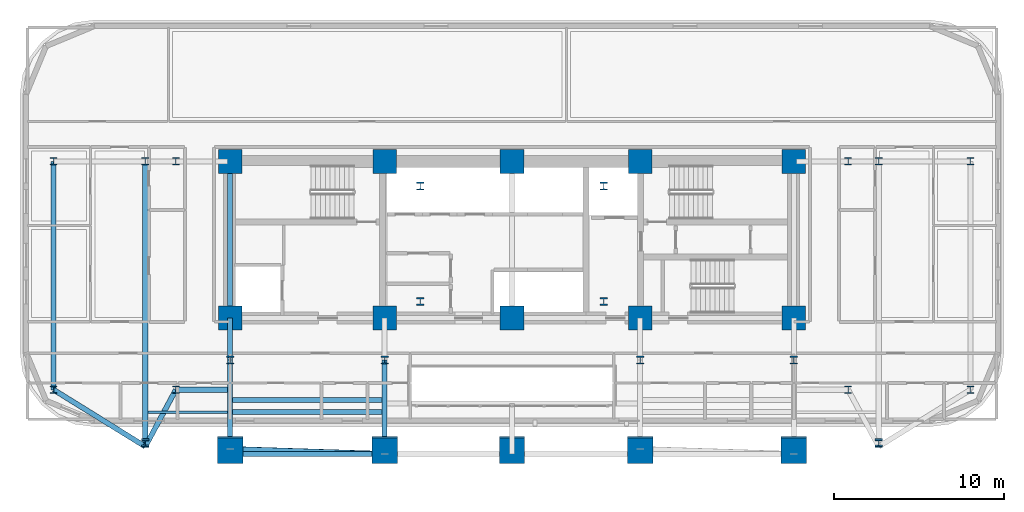
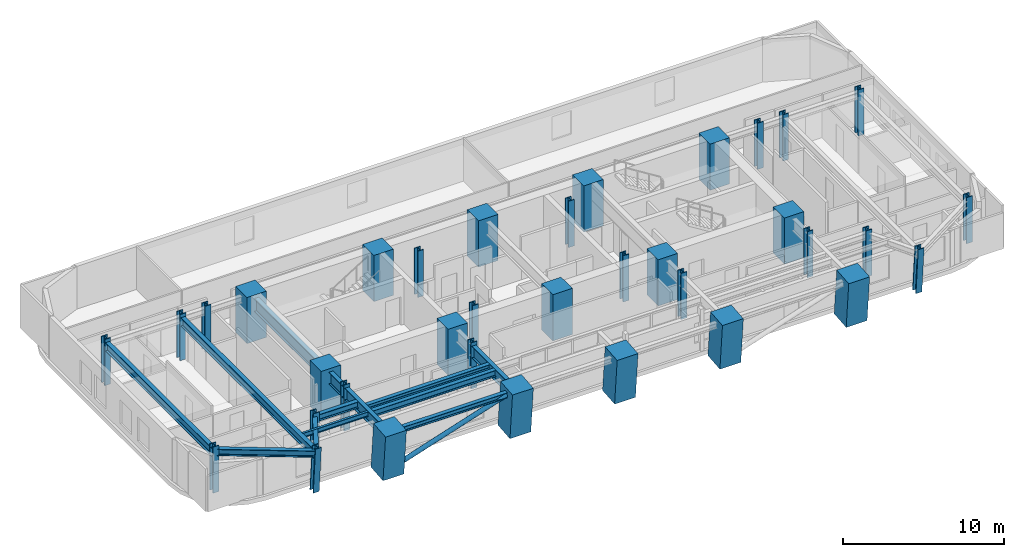
# One storey, part 1 of 15: 35 columns, 13 beams, 1 member.
"""IFC4 building model written with IfcOpenShell, lengths in metres."""

from ifc_helpers import new_model, si_unit, direction, frame, origin, origin_2d, place, context, subcontext, project, spatial, rectangle, hollow_circle, i_section, extrude, material, material_profile, profile_set, type_object, element, save


model = new_model("IFC4")

# Units and contexts
model_context = context("Model", 3, precision=1e-05, world=origin(), true_north=direction((0.0, 1.0)))
body_context = subcontext(model_context, "Body", "Model", "MODEL_VIEW")
ifc_project = project(units=[si_unit("LENGTHUNIT", "METRE"), si_unit("AREAUNIT", "SQUARE_METRE"), si_unit("VOLUMEUNIT", "CUBIC_METRE"), si_unit("PLANEANGLEUNIT", "RADIAN"), si_unit("MASSUNIT", "GRAM", prefix="KILO")], contexts=[model_context])

# Site, building, storey
site_placement = place(None, origin())
site = spatial("IfcSite", under=ifc_project, at=site_placement, CompositionType="ELEMENT")
building_placement = place(site_placement, origin())
building = spatial("IfcBuilding", under=site, at=building_placement, Name="Zarnavel Station Tower", CompositionType="ELEMENT")
storey_placement = place(building_placement, frame((0.0, 0.0, 67.5)))
storey = spatial("IfcBuildingStorey", under=building, at=storey_placement, Name="L18", CompositionType="ELEMENT", Elevation=67.5)

# Columns
ifc_material_1 = material(Name="Steel S460M", Category="steel")
ifc_material_profile_1 = material_profile(ifc_material_1, i_section(OverallWidth=0.424072265625, OverallDepth=0.449951171875, WebThickness=0.041015625, FlangeThickness=0.06494140625, FilletRadius=0.014892578125, at=origin_2d()), Name="HD400x509")
ifc_profile_set_1 = profile_set([ifc_material_profile_1], Name="Steel S460M")
column_type_1 = type_object("IfcColumnType", Name="EC_HD509", PredefinedType="COLUMN", material=ifc_profile_set_1)
for number, where, z_axis, x_axis, name in (
    (1, (1.800048828125, 23.60009765625, 0.0), (0.0, 0.0, 1.0), (1.0, 0.0, 0.0), "L18 Outer Wing South Column 1"),
    (2, (1.800048828125, 37.050048828125, 0.0), (0.0, 0.0, 1.0), (1.0, 0.0, 0.0), "L18 Outer Wing North Column 1"),
):
    element("IfcColumn", number, at=place(storey_placement, frame(where, z_axis=z_axis, x_axis=x_axis)), inside=storey, type_object=column_type_1, Name=name, PredefinedType="COLUMN", context=body_context, shape_type="SweptSolid", body=[
        extrude(i_section(OverallWidth=0.424072265625, OverallDepth=0.449951171875, WebThickness=0.041015625, FlangeThickness=0.06494140625, FilletRadius=0.014892578125, at=origin_2d()), origin(), (0.0, 0.0, 1.0), 3.5),
    ])
for number, where, z_axis, x_axis, name in (
    (3, (7.199951171875, 20.514404296875, 0.0), (0.0, -0.079960777917, 0.996798010629), (1.0, 0.0, 0.0), "L18 Raked Wing Column 2"),
    (4, (50.39990234375, 20.514404296875, 0.0), (0.0, -0.079960777917, 0.996798010629), (1.0, 0.0, 0.0), "L18 Raked Wing Column 3"),
):
    element("IfcColumn", number, at=place(storey_placement, frame(where, z_axis=z_axis, x_axis=x_axis)), inside=storey, type_object=column_type_1, Name=name, PredefinedType="COLUMN", context=body_context, shape_type="SweptSolid", body=[
        extrude(i_section(OverallWidth=0.424072265625, OverallDepth=0.449951171875, WebThickness=0.041015625, FlangeThickness=0.06494140625, FilletRadius=0.014892578125, at=origin_2d()), origin(), (0.0, 0.0, 1.0), 3.51123046875),
    ])
for number, where, z_axis, x_axis, name in (
    (5, (55.800048828125, 23.60009765625, 0.0), (0.0, 0.0, 1.0), (1.0, 0.0, 0.0), "L18 Outer Wing South Column 4"),
    (6, (55.800048828125, 37.050048828125, 0.0), (0.0, 0.0, 1.0), (1.0, 0.0, 0.0), "L18 Outer Wing North Column 4"),
):
    element("IfcColumn", number, at=place(storey_placement, frame(where, z_axis=z_axis, x_axis=x_axis)), inside=storey, type_object=column_type_1, Name=name, PredefinedType="COLUMN", context=body_context, shape_type="SweptSolid", body=[
        extrude(i_section(OverallWidth=0.424072265625, OverallDepth=0.449951171875, WebThickness=0.041015625, FlangeThickness=0.06494140625, FilletRadius=0.014892578125, at=origin_2d()), origin(), (0.0, 0.0, 1.0), 3.5),
    ])
ifc_material_2 = material(Name="Steel S460M", Category="steel")
ifc_material_profile_2 = material_profile(ifc_material_2, i_section(OverallWidth=0.424072265625, OverallDepth=0.449951171875, WebThickness=0.041015625, FlangeThickness=0.06494140625, FilletRadius=0.014892578125, at=origin_2d()), Name="HD400x509")
ifc_profile_set_2 = profile_set([ifc_material_profile_2], Name="Steel S460M")
column_type_2 = type_object("IfcColumnType", Name="IC_HD509", PredefinedType="COLUMN", material=ifc_profile_set_2)
for number, where, z_axis, x_axis, name in (
    (7, (23.39990234375, 28.800048828125, 0.0), (0.0, 0.0, 1.0), (1.0, 0.0, 0.0), "L18 Mast Spine Column 1"),
    (8, (34.199951171875, 28.800048828125, 0.0), (0.0, 0.0, 1.0), (1.0, 0.0, 0.0), "L18 Mast Spine Column 2"),
    (9, (34.199951171875, 35.60009765625, 0.0), (0.0, 0.0, 1.0), (1.0, 0.0, 0.0), "L18 Mast Spine Column 3"),
    (10, (23.39990234375, 35.60009765625, 0.0), (0.0, 0.0, 1.0), (1.0, 0.0, 0.0), "L18 Mast Spine Column 4"),
    (11, (12.199951171875, 25.35009765625, 0.0), (0.0, 0.0, 1.0), (1.0, 0.0, 0.0), "L18 Inner Spine Column 1"),
    (12, (21.300048828125, 25.35009765625, 0.0), (0.0, 0.0, 1.0), (1.0, 0.0, 0.0), "L18 Inner Spine Column 2"),
    (13, (36.35009765625, 25.35009765625, 0.0), (0.0, 0.0, 1.0), (1.0, 0.0, 0.0), "L18 Inner Spine Column 4"),
    (14, (45.39990234375, 25.35009765625, 0.0), (0.0, 0.0, 1.0), (1.0, 0.0, 0.0), "L18 Inner Spine Column 5"),
    (15, (9.0, 23.60009765625, 0.0), (0.0, 0.0, 1.0), (1.0, 0.0, 0.0), "L18 Inner Wing Spine Column 1-1"),
    (16, (9.0, 37.050048828125, 0.0), (0.0, 0.0, 1.0), (1.0, 0.0, 0.0), "L18 Inner Wing Spine Column 1-2"),
    (17, (48.60009765625, 23.60009765625, 0.0), (0.0, 0.0, 1.0), (1.0, 0.0, 0.0), "L18 Inner Wing Spine Column 2-1"),
    (18, (48.60009765625, 37.050048828125, 0.0), (0.0, 0.0, 1.0), (1.0, 0.0, 0.0), "L18 Inner Wing Spine Column 2-2"),
    (19, (7.199951171875, 37.050048828125, 0.0), (0.0, 0.0, 1.0), (1.0, 0.0, 0.0), "L18 Outer Wing North Column 2"),
    (20, (50.39990234375, 37.050048828125, 0.0), (0.0, 0.0, 1.0), (1.0, 0.0, 0.0), "L18 Outer Wing North Column 3"),
):
    element("IfcColumn", number, at=place(storey_placement, frame(where, z_axis=z_axis, x_axis=x_axis)), inside=storey, type_object=column_type_2, Name=name, PredefinedType="COLUMN", context=body_context, shape_type="SweptSolid", body=[
        extrude(i_section(OverallWidth=0.424072265625, OverallDepth=0.449951171875, WebThickness=0.041015625, FlangeThickness=0.06494140625, FilletRadius=0.014892578125, at=origin_2d()), origin(), (0.0, 0.0, 1.0), 3.5),
    ])
ifc_material_3 = material(Name="Concrete C60/75", Category="concrete")
ifc_material_profile_3 = material_profile(ifc_material_3, rectangle(XDim=1.39990234375, YDim=1.39990234375, at=origin_2d()), Name="RC1400x1400")
ifc_profile_set_3 = profile_set([ifc_material_profile_3], Name="Concrete C60/75")
column_type_3 = type_object("IfcColumnType", Name="IC_RC1400", PredefinedType="COLUMN", material=ifc_profile_set_3)
for number, where, z_axis, x_axis, name in (
    (21, (12.199951171875, 27.820068359375, 0.0), (0.0, 0.0, 1.0), (1.0, 0.0, 0.0), "L18 Core Spine Column 1-1"),
    (22, (12.199951171875, 37.050048828125, 0.0), (0.0, 0.0, 1.0), (1.0, 0.0, 0.0), "L18 Core Spine Column 1-2"),
    (23, (21.300048828125, 27.820068359375, 0.0), (0.0, 0.0, 1.0), (1.0, 0.0, 0.0), "L18 Core Spine Column 2-1"),
    (24, (21.300048828125, 37.050048828125, 0.0), (0.0, 0.0, 1.0), (1.0, 0.0, 0.0), "L18 Core Spine Column 2-2"),
    (25, (28.800048828125, 27.820068359375, 0.0), (0.0, 0.0, 1.0), (1.0, 0.0, 0.0), "L18 Core Spine Column 3-1"),
    (26, (28.800048828125, 37.050048828125, 0.0), (0.0, 0.0, 1.0), (1.0, 0.0, 0.0), "L18 Core Spine Column 3-2"),
    (27, (36.35009765625, 27.820068359375, 0.0), (0.0, 0.0, 1.0), (1.0, 0.0, 0.0), "L18 Core Spine Column 4-1"),
    (28, (36.35009765625, 37.050048828125, 0.0), (0.0, 0.0, 1.0), (1.0, 0.0, 0.0), "L18 Core Spine Column 4-2"),
    (29, (45.39990234375, 27.820068359375, 0.0), (0.0, 0.0, 1.0), (1.0, 0.0, 0.0), "L18 Core Spine Column 5-1"),
    (30, (45.39990234375, 37.050048828125, 0.0), (0.0, 0.0, 1.0), (1.0, 0.0, 0.0), "L18 Core Spine Column 5-2"),
):
    element("IfcColumn", number, at=place(storey_placement, frame(where, z_axis=z_axis, x_axis=x_axis)), inside=storey, type_object=column_type_3, Name=name, PredefinedType="COLUMN", context=body_context, shape_type="SweptSolid", body=[
        extrude(rectangle(XDim=1.39990234375, YDim=1.39990234375, at=origin_2d()), origin(), (0.0, 0.0, 1.0), 3.5),
    ])
ifc_material_4 = material(Name="Concrete C60/75", Category="concrete")
ifc_material_profile_4 = material_profile(ifc_material_4, rectangle(XDim=1.5, YDim=1.5, at=origin_2d()), Name="RC1500x1500")
ifc_profile_set_4 = profile_set([ifc_material_profile_4], Name="Concrete C60/75")
column_type_4 = type_object("IfcColumnType", Name="MC_RC1500", PredefinedType="COLUMN", material=ifc_profile_set_4)
for number, where, z_axis, x_axis, name in (
    (31, (12.199951171875, 20.111083984375, 0.0), (0.0, -0.090241349316, 0.995919925935), (1.0, 0.0, 0.0), "L18 Raked South Mega-Column 1"),
    (32, (21.300048828125, 20.111083984375, 0.0), (0.0, -0.090241349316, 0.995919925935), (1.0, 0.0, 0.0), "L18 Raked South Mega-Column 2"),
    (33, (28.800048828125, 20.111083984375, 0.0), (0.0, -0.090241349316, 0.995919925935), (1.0, 0.0, 0.0), "L18 Raked South Mega-Column 3"),
    (34, (36.35009765625, 20.111083984375, 0.0), (0.0, -0.090241349316, 0.995919925935), (1.0, 0.0, 0.0), "L18 Raked South Mega-Column 4"),
    (35, (45.39990234375, 20.111083984375, 0.0), (0.0, -0.090241349316, 0.995919925935), (1.0, 0.0, 0.0), "L18 Raked South Mega-Column 5"),
):
    element("IfcColumn", number, at=place(storey_placement, frame(where, z_axis=z_axis, x_axis=x_axis)), inside=storey, type_object=column_type_4, Name=name, PredefinedType="COLUMN", context=body_context, shape_type="SweptSolid", body=[
        extrude(rectangle(XDim=1.5, YDim=1.5, at=origin_2d()), origin(), (0.0, 0.0, 1.0), 3.514404296875),
    ])

# Member
ifc_material_5 = material(Name="Steel S355J2", Category="steel")
ifc_material_profile_5 = material_profile(ifc_material_5, hollow_circle(Radius=0.161865234375, WallThickness=0.012451171875, at=origin_2d()), Name="CHS323.9x12.5")
ifc_profile_set_5 = profile_set([ifc_material_profile_5], Name="Steel S355J2")
member_type = type_object("IfcMemberType", Name="DB_EXT_CHS324", PredefinedType="BRACE", material=ifc_profile_set_5)
member_placement = place(storey_placement, frame((12.199951171875, 20.111083984375, 0.0), z_axis=(0.941635675338, -0.030390827854, 0.335259082669), x_axis=(0.032257711549, 0.999479584607, 0.0)))
element("IfcMember", 36, at=member_placement, inside=storey, type_object=member_type, Name="L18 Persian Exterior Diagonal Frame Brace 1", PredefinedType="BRACE", context=body_context, shape_type="SweptSolid", body=[
    extrude(hollow_circle(Radius=0.161865234375, WallThickness=0.012451171875, at=origin_2d()), origin(), (0.0, 0.0, 1.0), 9.6640625),
])

# Beams
ifc_material_6 = material(Name="Steel S355J2", Category="steel")
ifc_material_profile_6 = material_profile(ifc_material_6, i_section(OverallWidth=0.300048828125, OverallDepth=0.39990234375, WebThickness=0.013427734375, FlangeThickness=0.02392578125, FilletRadius=0.027099609375, at=origin_2d()), Name="HEB400")
ifc_profile_set_6 = profile_set([ifc_material_profile_6], Name="Steel S355J2")
beam_type_1 = type_object("IfcBeamType", Name="EB_HEB400", PredefinedType="SPANDREL", material=ifc_profile_set_6)
beam_1_placement = place(storey_placement, frame((12.199951171875, 19.8173828125, 3.0400390625), z_axis=(1.0, 0.0, 0.0), x_axis=(0.0, 1.0, 0.0)))
element("IfcBeam", 37, at=beam_1_placement, inside=storey, type_object=beam_type_1, Name="L18 South Raked Spandrel 1", PredefinedType="SPANDREL", context=body_context, shape_type="SweptSolid", body=[
    extrude(i_section(OverallWidth=0.300048828125, OverallDepth=0.39990234375, WebThickness=0.013427734375, FlangeThickness=0.02392578125, FilletRadius=0.027099609375, at=origin_2d()), origin(), (0.0, 0.0, 1.0), 9.10009765625),
])
ifc_material_7 = material(Name="Steel S355J2", Category="steel")
ifc_material_profile_7 = material_profile(ifc_material_7, i_section(OverallWidth=0.300048828125, OverallDepth=0.35009765625, WebThickness=0.010009765625, FlangeThickness=0.017578125, FilletRadius=0.027099609375, at=origin_2d()), Name="HEA360")
ifc_profile_set_7 = profile_set([ifc_material_profile_7], Name="Steel S355J2")
beam_type_2 = type_object("IfcBeamType", Name="FB_HEA360", PredefinedType="BEAM", material=ifc_profile_set_7)
beam_2_placement = place(storey_placement, frame((12.344970703125, 22.9892578125, 3.06494140625), z_axis=(1.0, 0.0, 0.0), x_axis=(0.0, 1.0, 0.0)))
element("IfcBeam", 38, at=beam_2_placement, inside=storey, type_object=beam_type_2, Name="L18 West Bay Beam 2", PredefinedType="BEAM", context=body_context, shape_type="SweptSolid", body=[
    extrude(i_section(OverallWidth=0.300048828125, OverallDepth=0.35009765625, WebThickness=0.010009765625, FlangeThickness=0.017578125, FilletRadius=0.027099609375, at=origin_2d()), origin(), (0.0, 0.0, 1.0), 8.81005859375),
])
ifc_material_8 = material(Name="Steel S355J2", Category="steel")
ifc_material_profile_8 = material_profile(ifc_material_8, i_section(OverallWidth=0.300048828125, OverallDepth=0.489990234375, WebThickness=0.011962890625, FlangeThickness=0.02294921875, FilletRadius=0.027099609375, at=origin_2d()), Name="HEA500")
ifc_profile_set_8 = profile_set([ifc_material_profile_8], Name="Steel S355J2")
beam_type_3 = type_object("IfcBeamType", Name="FB_HEA500", PredefinedType="BEAM", material=ifc_profile_set_8)
beam_3_placement = place(storey_placement, frame((12.344970703125, 22.2783203125, 2.9951171875), z_axis=(1.0, 0.0, 0.0), x_axis=(0.0, 1.0, 0.0)))
element("IfcBeam", 39, at=beam_3_placement, inside=storey, type_object=beam_type_3, Name="L18 West Bay Beam 1", PredefinedType="BEAM", context=body_context, shape_type="SweptSolid", body=[
    extrude(i_section(OverallWidth=0.300048828125, OverallDepth=0.489990234375, WebThickness=0.011962890625, FlangeThickness=0.02294921875, FilletRadius=0.027099609375, at=origin_2d()), origin(), (0.0, 0.0, 1.0), 8.81005859375),
])
ifc_material_9 = material(Name="Steel S355J2", Category="steel")
ifc_material_profile_9 = material_profile(ifc_material_9, i_section(OverallWidth=0.300048828125, OverallDepth=0.5, WebThickness=0.014404296875, FlangeThickness=0.028076171875, FilletRadius=0.027099609375, at=origin_2d()), Name="HEB500")
ifc_profile_set_9 = profile_set([ifc_material_profile_9], Name="Steel S355J2")
beam_type_4 = type_object("IfcBeamType", Name="FG_HEB500", PredefinedType="USERDEFINED", material=ifc_profile_set_9)
beam_4_placement = place(storey_placement, frame((1.800048828125, 23.60009765625, 2.989990234375), z_axis=(0.850077523435, -0.526657577702, 0.0), x_axis=(0.526657577702, 0.850077523435, 0.0)))
element("IfcBeam", 40, at=beam_4_placement, inside=storey, type_object=beam_type_4, Name="L18 West Wing South Tie 1", ObjectType="GIRDER", PredefinedType="USERDEFINED", context=body_context, shape_type="SweptSolid", body=[
    extrude(i_section(OverallWidth=0.300048828125, OverallDepth=0.5, WebThickness=0.014404296875, FlangeThickness=0.028076171875, FilletRadius=0.027099609375, at=origin_2d()), origin(), (0.0, 0.0, 1.0), 6.352294921875),
])
beam_5_placement = place(storey_placement, frame((7.199951171875, 20.254638671875, 2.989990234375), z_axis=(0.473823874113, 0.880619632032, 0.0), x_axis=(-0.880619632032, 0.473823874113, 0.0)))
element("IfcBeam", 41, at=beam_5_placement, inside=storey, type_object=beam_type_4, Name="L18 West Wing South Tie 2", ObjectType="GIRDER", PredefinedType="USERDEFINED", context=body_context, shape_type="SweptSolid", body=[
    extrude(i_section(OverallWidth=0.300048828125, OverallDepth=0.5, WebThickness=0.014404296875, FlangeThickness=0.028076171875, FilletRadius=0.027099609375, at=origin_2d()), origin(), (0.0, 0.0, 1.0), 3.799072265625),
])
beam_6_placement = place(storey_placement, frame((9.0, 23.60009765625, 2.989990234375), z_axis=(1.0, 0.0, 0.0), x_axis=(0.0, 1.0, 0.0)))
element("IfcBeam", 42, at=beam_6_placement, inside=storey, type_object=beam_type_4, Name="L18 West Wing South Tie 3", ObjectType="GIRDER", PredefinedType="USERDEFINED", context=body_context, shape_type="SweptSolid", body=[
    extrude(i_section(OverallWidth=0.300048828125, OverallDepth=0.5, WebThickness=0.014404296875, FlangeThickness=0.028076171875, FilletRadius=0.027099609375, at=origin_2d()), origin(), (0.0, 0.0, 1.0), 3.054931640625),
])
ifc_material_10 = material(Name="Steel S355J2", Category="steel")
ifc_material_profile_10 = material_profile(ifc_material_10, i_section(OverallWidth=0.300048828125, OverallDepth=0.64990234375, WebThickness=0.01611328125, FlangeThickness=0.031005859375, FilletRadius=0.027099609375, at=origin_2d()), Name="HEB650")
ifc_profile_set_10 = profile_set([ifc_material_profile_10], Name="Steel S355J2")
beam_type_5 = type_object("IfcBeamType", Name="FG_HEB650", PredefinedType="USERDEFINED", material=ifc_profile_set_10)
beam_7_placement = place(storey_placement, frame((1.800048828125, 23.60009765625, 2.9150390625), z_axis=(0.0, 1.0, 0.0), x_axis=(-1.0, 0.0, 0.0)))
element("IfcBeam", 43, at=beam_7_placement, inside=storey, type_object=beam_type_5, Name="L18 Wing NS Girder 1", ObjectType="GIRDER", PredefinedType="USERDEFINED", context=body_context, shape_type="SweptSolid", body=[
    extrude(i_section(OverallWidth=0.300048828125, OverallDepth=0.64990234375, WebThickness=0.01611328125, FlangeThickness=0.031005859375, FilletRadius=0.027099609375, at=origin_2d()), origin(), (0.0, 0.0, 1.0), 13.449951171875),
])
beam_8_placement = place(storey_placement, frame((7.199951171875, 20.254638671875, 2.9150390625), z_axis=(0.0, 1.0, 0.0), x_axis=(-1.0, 0.0, 0.0)))
element("IfcBeam", 44, at=beam_8_placement, inside=storey, type_object=beam_type_5, Name="L18 Wing NS Girder 2", ObjectType="GIRDER", PredefinedType="USERDEFINED", context=body_context, shape_type="SweptSolid", body=[
    extrude(i_section(OverallWidth=0.300048828125, OverallDepth=0.64990234375, WebThickness=0.01611328125, FlangeThickness=0.031005859375, FilletRadius=0.027099609375, at=origin_2d()), origin(), (0.0, 0.0, 1.0), 16.79541015625),
])
ifc_material_11 = material(Name="Steel S355J2", Category="steel")
ifc_material_profile_11 = material_profile(ifc_material_11, i_section(OverallWidth=0.169921875, OverallDepth=0.360107421875, WebThickness=0.008056640625, FlangeThickness=0.0126953125, FilletRadius=0.01806640625, at=origin_2d()), Name="IPE360")
ifc_profile_set_11 = profile_set([ifc_material_profile_11], Name="Steel S355J2")
beam_type_6 = type_object("IfcBeamType", Name="FJ_IPE360", PredefinedType="JOIST", material=ifc_profile_set_11)
beam_9_placement = place(storey_placement, frame((7.344970703125, 22.2783203125, 3.06005859375), z_axis=(1.0, 0.0, 0.0), x_axis=(0.0, 1.0, 0.0)))
element("IfcBeam", 45, at=beam_9_placement, inside=storey, type_object=beam_type_6, Name="L18 West Wing Joist 1", PredefinedType="JOIST", context=body_context, shape_type="SweptSolid", body=[
    extrude(i_section(OverallWidth=0.169921875, OverallDepth=0.360107421875, WebThickness=0.008056640625, FlangeThickness=0.0126953125, FilletRadius=0.01806640625, at=origin_2d()), origin(), (0.0, 0.0, 1.0), 4.7099609375),
])
ifc_material_12 = material(Name="Steel S460M", Category="steel")
ifc_material_profile_12 = material_profile(ifc_material_12, i_section(OverallWidth=0.302001953125, OverallDepth=1.008056640625, WebThickness=0.02099609375, FlangeThickness=0.0400390625, FilletRadius=0.030029296875, at=origin_2d()), Name="HEM1000")
ifc_profile_set_12 = profile_set([ifc_material_profile_12], Name="Steel S460M")
beam_type_7 = type_object("IfcBeamType", Name="TG_HEM1000", PredefinedType="USERDEFINED", material=ifc_profile_set_12)
beam_10_placement = place(storey_placement, frame((12.199951171875, 27.820068359375, 2.736083984375), z_axis=(0.0, 1.0, 0.0), x_axis=(-1.0, 0.0, 0.0)))
element("IfcBeam", 46, at=beam_10_placement, inside=storey, type_object=beam_type_7, Name="L18 Core Spine Coupling Girder 1", ObjectType="GIRDER", PredefinedType="USERDEFINED", context=body_context, shape_type="SweptSolid", body=[
    extrude(i_section(OverallWidth=0.302001953125, OverallDepth=1.008056640625, WebThickness=0.02099609375, FlangeThickness=0.0400390625, FilletRadius=0.030029296875, at=origin_2d()), origin(), (0.0, 0.0, 1.0), 9.22998046875),
])
ifc_material_13 = material(Name="Steel S460M", Category="steel")
ifc_material_profile_13 = material_profile(ifc_material_13, i_section(OverallWidth=0.302001953125, OverallDepth=0.909912109375, WebThickness=0.02099609375, FlangeThickness=0.0400390625, FilletRadius=0.030029296875, at=origin_2d()), Name="HEM900")
ifc_profile_set_13 = profile_set([ifc_material_profile_13], Name="Steel S460M")
beam_type_8 = type_object("IfcBeamType", Name="TG_HEM900", PredefinedType="USERDEFINED", material=ifc_profile_set_13)
beam_11_placement = place(storey_placement, frame((12.199951171875, 19.8173828125, 2.784912109375), z_axis=(0.0, 1.0, 0.0), x_axis=(-1.0, 0.0, 0.0)))
element("IfcBeam", 47, at=beam_11_placement, inside=storey, type_object=beam_type_8, Name="L18 South-Zone NS Girder 1", ObjectType="GIRDER", PredefinedType="USERDEFINED", context=body_context, shape_type="SweptSolid", body=[
    extrude(i_section(OverallWidth=0.302001953125, OverallDepth=0.909912109375, WebThickness=0.02099609375, FlangeThickness=0.0400390625, FilletRadius=0.030029296875, at=origin_2d()), origin(), (0.0, 0.0, 1.0), 5.53271484375),
])
beam_12_placement = place(storey_placement, frame((12.199951171875, 25.35009765625, 2.784912109375), z_axis=(0.0, 1.0, 0.0), x_axis=(-1.0, 0.0, 0.0)))
element("IfcBeam", 48, at=beam_12_placement, inside=storey, type_object=beam_type_8, Name="L18 Inner-Zone NS Girder 1", ObjectType="GIRDER", PredefinedType="USERDEFINED", context=body_context, shape_type="SweptSolid", body=[
    extrude(i_section(OverallWidth=0.302001953125, OverallDepth=0.909912109375, WebThickness=0.02099609375, FlangeThickness=0.0400390625, FilletRadius=0.030029296875, at=origin_2d()), origin(), (0.0, 0.0, 1.0), 2.469970703125),
])
beam_13_placement = place(storey_placement, frame((21.300048828125, 19.8173828125, 2.784912109375), z_axis=(0.0, 1.0, 0.0), x_axis=(-1.0, 0.0, 0.0)))
element("IfcBeam", 49, at=beam_13_placement, inside=storey, type_object=beam_type_8, Name="L18 South-Zone NS Girder 2", ObjectType="GIRDER", PredefinedType="USERDEFINED", context=body_context, shape_type="SweptSolid", body=[
    extrude(i_section(OverallWidth=0.302001953125, OverallDepth=0.909912109375, WebThickness=0.02099609375, FlangeThickness=0.0400390625, FilletRadius=0.030029296875, at=origin_2d()), origin(), (0.0, 0.0, 1.0), 5.53271484375),
])

save(model, "model.ifc")
